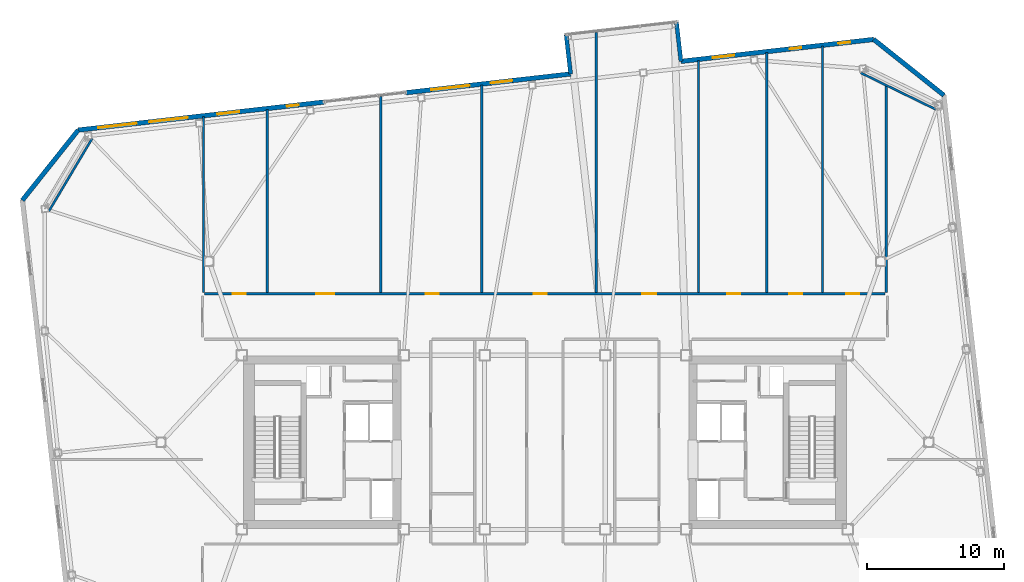
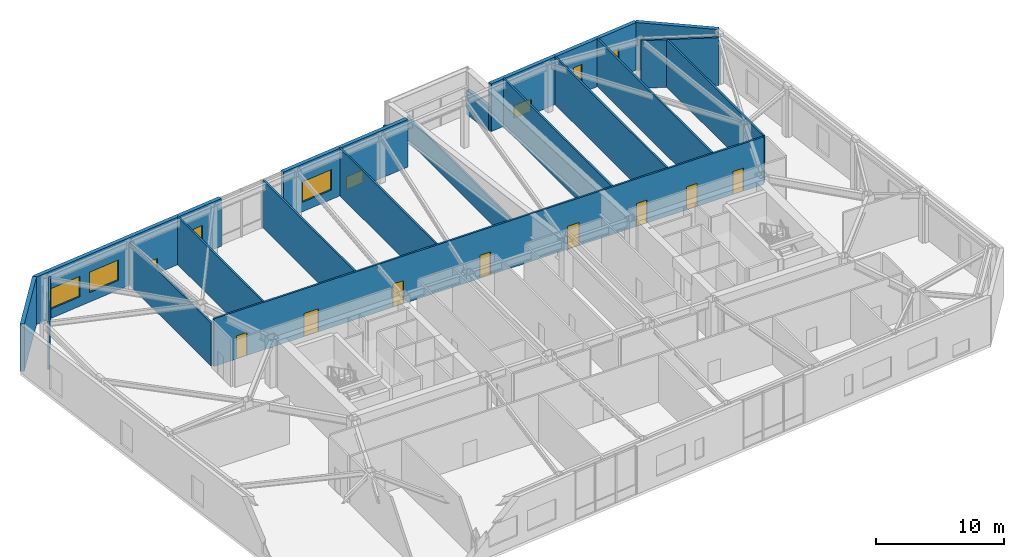
# One storey, part 17 of 21: 19 walls, 9 windows, 8 doors, 17 openings.
"""IFC4 building model written with IfcOpenShell, lengths in metres."""

import ifcopenshell
import ifcopenshell.guid

model = None  # the IFC model being written
_history = None  # IfcOwnerHistory: only IFC2X3 demands one
_inside = {}  # id of a spatial element -> (the spatial element, [elements in it])
_under = {}  # id of a project, library or spatial element -> (it, [spatial elements below it])
_declared = {}  # id of a project -> (the project, [libraries it declares])
_typed = {}  # id of a type object -> (the type object, [elements of that type])
_made_of = {}  # id of a material, layer set ... -> (it, [elements and type objects made of it])


def new_model(schema):
    """Start an empty IFC model of exactly this schema.

    Asked for "IFC4X3", IfcOpenShell would pick the latest addendum, in which some entities
    have other attributes; the version numbers below select the first issue.
    IFC2X3 requires an IfcOwnerHistory on every rooted entity: one is made here for all.
    """
    global model, _history
    if schema == "IFC4X3":
        model = ifcopenshell.file(schema_version=(4, 3, 0, 0))
    else:
        model = ifcopenshell.file(schema=schema)
    _inside.clear()
    _under.clear()
    _declared.clear()
    _typed.clear()
    _made_of.clear()
    _history = None
    if model.schema == "IFC2X3":
        org = make("IfcOrganization", Name="unknown")
        user = make(
            "IfcPersonAndOrganization",
            ThePerson=make("IfcPerson", FamilyName="unknown"),
            TheOrganization=org,
        )
        app = make(
            "IfcApplication",
            ApplicationDeveloper=org,
            Version="unknown",
            ApplicationFullName="unknown",
            ApplicationIdentifier="unknown",
        )
        _history = make(
            "IfcOwnerHistory",
            OwningUser=user,
            OwningApplication=app,
            ChangeAction="ADDED",
            CreationDate=0,
        )
    return model


def make(cls, **values):
    """One entity of the class cls with the attributes given. An attribute that is None is left unset."""
    return model.create_entity(
        cls, **{name: value for name, value in values.items() if value is not None}
    )


def rooted(cls, **values):
    """An entity with a GlobalId (a new one), such as an element, a storey or a relation."""
    return make(cls, GlobalId=ifcopenshell.guid.new(), OwnerHistory=_history, **values)


def si_unit(unit_type, name, prefix=None):
    """IfcSIUnit, for example si_unit("LENGTHUNIT", "METRE", prefix="MILLI")."""
    return make("IfcSIUnit", UnitType=unit_type, Prefix=prefix, Name=name)


def assignment(units):
    """IfcUnitAssignment: the units of a project."""
    return None if units is None else make("IfcUnitAssignment", Units=units)


def point(xyz):
    """IfcCartesianPoint."""
    return None if xyz is None else make("IfcCartesianPoint", Coordinates=xyz)


def direction(xyz):
    """IfcDirection."""
    return None if xyz is None else make("IfcDirection", DirectionRatios=xyz)


def frame(location, z_axis=None, x_axis=None):
    """IfcAxis2Placement3D, a coordinate frame: its origin and axes. An axis left out is left unset."""
    return make(
        "IfcAxis2Placement3D",
        Location=point(location),
        Axis=direction(z_axis),
        RefDirection=direction(x_axis),
    )


def frame_2d(location, x_axis=None):
    """IfcAxis2Placement2D, a coordinate frame in the plane: its origin and x axis."""
    return make(
        "IfcAxis2Placement2D", Location=point(location), RefDirection=direction(x_axis)
    )


def origin():
    """The frame at (0, 0, 0) with its axes left unset."""
    return frame((0.0, 0.0, 0.0))


def place(relative_to, where):
    """IfcLocalPlacement: puts the frame where relative to a parent placement (None: the world)."""
    return make(
        "IfcLocalPlacement", PlacementRelTo=relative_to, RelativePlacement=where
    )


def context(
    kind, dimensions, precision=None, world=None, true_north=None, identifier=None
):
    """IfcGeometricRepresentationContext, for example the 3D "Model" context."""
    return make(
        "IfcGeometricRepresentationContext",
        ContextIdentifier=identifier,
        ContextType=kind,
        CoordinateSpaceDimension=dimensions,
        Precision=precision,
        WorldCoordinateSystem=world,
        TrueNorth=true_north,
    )


def subcontext(parent, identifier, kind, view, scale=None):
    """IfcGeometricRepresentationSubContext, for example "Body" below "Model"."""
    return make(
        "IfcGeometricRepresentationSubContext",
        ContextIdentifier=identifier,
        ContextType=kind,
        ParentContext=parent,
        TargetScale=scale,
        TargetView=view,
    )


def project(units=None, contexts=None):
    """IfcProject with its units and contexts."""
    return rooted(
        "IfcProject",
        Name="project",
        RepresentationContexts=contexts,
        UnitsInContext=assignment(units),
    )


def spatial(cls, under=None, at=None, **own):
    """A site, building, storey or space (cls), placed at a placement, below another one or the project."""
    s = rooted(cls, ObjectPlacement=at, **own)
    if under is not None:
        _under.setdefault(under.id(), (under, []))[1].append(s)
    return s


def profile(cls, at=None, kind="AREA", **sizes):
    """A parametric profile (cls). Its sizes go by their IFC names, for example OverallWidth=200.0."""
    return make(cls, ProfileType=kind, Position=at, **sizes)


def rectangle(**sizes):
    """IfcRectangleProfileDef."""
    return profile("IfcRectangleProfileDef", **sizes)


def extrude(swept, where, along, depth):
    """IfcExtrudedAreaSolid: the profile swept, set in the frame where, extruded along a direction by depth."""
    return make(
        "IfcExtrudedAreaSolid",
        SweptArea=swept,
        Position=where,
        ExtrudedDirection=direction(along),
        Depth=depth,
    )


def shape(context_of_items, identifier, shape_type, items):
    """IfcShapeRepresentation: the items that make up one representation, for example the "Body"."""
    return make(
        "IfcShapeRepresentation",
        ContextOfItems=context_of_items,
        RepresentationIdentifier=identifier,
        RepresentationType=shape_type,
        Items=items,
    )


def material(Name=None, Category=None):
    """IfcMaterial."""
    return make("IfcMaterial", Name=Name, Category=Category)


def layer(
    of_material, thickness, ventilated=None, Name=None, Category=None, Priority=None
):
    """IfcMaterialLayer: one layer of a wall or slab, of a material (None: an air gap)."""
    return make(
        "IfcMaterialLayer",
        Material=of_material,
        LayerThickness=thickness,
        IsVentilated=ventilated,
        Name=Name,
        Category=Category,
        Priority=Priority,
    )


def layer_set(layers, Name=None):
    """IfcMaterialLayerSet."""
    return make("IfcMaterialLayerSet", MaterialLayers=layers, LayerSetName=Name)


def made_of(thing, what):
    """Note that an element or type object is made of a material, layer set ...; save() writes the relation."""
    if what is not None:
        _made_of.setdefault(what.id(), (what, []))[1].append(thing)
    return thing


def type_object(cls, material=None, **own):
    """A type object (cls), such as IfcWallType, which elements share."""
    return made_of(rooted(cls, **own), material)


def element(
    cls,
    number,
    at=None,
    inside=None,
    cuts=None,
    type_object=None,
    material=None,
    context=None,
    identifier="Body",
    shape_type=None,
    held_by="IfcProductDefinitionShape",
    body=None,
    shapes=None,
    **own,
):
    """One element of the class cls, such as IfcWall. Its Tag is "e" and its number.

    at: its placement. inside: the storey or other place that contains it. cuts: it is an
    opening in that element (IfcRelVoidsElement). A single representation is given by context,
    identifier, shape_type and body (its items); several are given by shapes. held_by: the class
    of the entity that holds the representations. save() writes the other relations.
    """
    e = rooted(cls, Tag="e%d" % number, ObjectPlacement=at, **own)
    if body is not None:
        shapes = [shape(context, identifier, shape_type, body)]
    if shapes is not None:
        e.Representation = make(held_by, Representations=shapes)
    if inside is not None:
        _inside.setdefault(inside.id(), (inside, []))[1].append(e)
    if cuts is not None:
        rooted(
            "IfcRelVoidsElement", RelatingBuildingElement=cuts, RelatedOpeningElement=e
        )
    if type_object is not None:
        _typed.setdefault(type_object.id(), (type_object, []))[1].append(e)
    return made_of(e, material)


def fill(opening, filler):
    """IfcRelFillsElement: the door or window that sits in an opening."""
    return rooted(
        "IfcRelFillsElement",
        RelatingOpeningElement=opening,
        RelatedBuildingElement=filler,
    )


def aggregate(whole, parts):
    """IfcRelAggregates: a whole, such as a stair, and the parts it consists of."""
    return rooted("IfcRelAggregates", RelatingObject=whole, RelatedObjects=parts)


def save(model, path):
    """Write the relations noted so far, then the file.

    IfcRelAggregates (storeys below a building ...), IfcRelContainedInSpatialStructure (elements
    in a storey), IfcRelDefinesByType, IfcRelAssociatesMaterial and IfcRelDeclares: one each for
    every whole, place, type object, material and project.
    """
    for whole, parts in _under.values():
        aggregate(whole, parts)
    for where, things in _inside.values():
        rooted(
            "IfcRelContainedInSpatialStructure",
            RelatedElements=things,
            RelatingStructure=where,
        )
    for kind, things in _typed.values():
        rooted("IfcRelDefinesByType", RelatedObjects=things, RelatingType=kind)
    for what, things in _made_of.values():
        rooted("IfcRelAssociatesMaterial", RelatedObjects=things, RelatingMaterial=what)
    for by, libraries in _declared.values():
        rooted("IfcRelDeclares", RelatingContext=by, RelatedDefinitions=libraries)
    model.write(path)


model = new_model("IFC4")

# Units and contexts
model_context = context("Model", 3, precision=1e-05, world=origin(), true_north=direction((0.0, 1.0)))
body_context = subcontext(model_context, "Body", "Model", "MODEL_VIEW")
ifc_project = project(units=[si_unit("LENGTHUNIT", "METRE"), si_unit("AREAUNIT", "SQUARE_METRE"), si_unit("VOLUMEUNIT", "CUBIC_METRE"), si_unit("PLANEANGLEUNIT", "RADIAN"), si_unit("MASSUNIT", "GRAM", prefix="KILO")], contexts=[model_context])

# Site, building, storey
site_placement = place(None, origin())
site = spatial("IfcSite", under=ifc_project, at=site_placement, CompositionType="ELEMENT")
building_placement = place(site_placement, origin())
building = spatial("IfcBuilding", under=site, at=building_placement, Name="Tavrogorsk Clinical Tower", CompositionType="ELEMENT")
storey_placement = place(building_placement, frame((0.0, 0.0, 238.199951171875)))
storey = spatial("IfcBuildingStorey", under=building, at=storey_placement, Name="L55", CompositionType="ELEMENT", Elevation=238.199951171875)

# Walls
ifc_material_1 = material(Name="Lightweight concrete blockwork B15", Category="masonry")
ifc_layer_1 = layer(ifc_material_1, 0.159912109375)
ifc_layer_set_1 = layer_set([ifc_layer_1], Name="Lightweight concrete blockwork B15")
wall_type_1 = type_object("IfcWallType", Name="PartitionWall_160", PredefinedType="PARTITIONING", material=ifc_layer_set_1)
wall_1_placement = place(storey_placement, frame((28.5283203125, 24.27099609375, 0.0), z_axis=(0.0, 0.0, 1.0), x_axis=(-0.898820692789, 0.438316509173, 0.0)))
element("IfcWall", 1, at=wall_1_placement, inside=storey, type_object=wall_type_1, Name="L55 Corner Exoskeleton Brace Furring Wall 2", PredefinedType="PARTITIONING", context=body_context, shape_type="SweptSolid", body=[
    extrude(rectangle(XDim=6.10693359375, YDim=0.159912109375, at=frame_2d((3.053466796875, 0.0))), origin(), (0.0, 0.0, 1.0), 4.5400390625),
])
wall_2_placement = place(storey_placement, frame((-33.016357421875, 22.17138671875, 0.0), z_axis=(0.0, 0.0, 1.0), x_axis=(-0.511385266265, -0.859351563359, 0.0)))
element("IfcWall", 2, at=wall_2_placement, inside=storey, type_object=wall_type_1, Name="L55 Corner Exoskeleton Brace Furring Wall 3", PredefinedType="PARTITIONING", context=body_context, shape_type="SweptSolid", body=[
    extrude(rectangle(XDim=6.181884765625, YDim=0.159912109375, at=frame_2d((3.0908203125, 0.0))), origin(), (0.0, 0.0, 1.0), 4.5400390625),
])

# Wall, openings, doors
wall_3_placement = place(storey_placement, frame((-24.81494140625, 10.830078125, 0.0), z_axis=(0.0, 0.0, 1.0), x_axis=(1.0, 0.0, 0.0)))
wall_3 = element("IfcWall", 3, at=wall_3_placement, inside=storey, type_object=wall_type_1, Name="L55 Corridor Partition 07", PredefinedType="PARTITIONING", context=body_context, shape_type="SweptSolid", body=[
    extrude(rectangle(XDim=49.6298828125, YDim=0.159912109375, at=frame_2d((24.81494140625, 0.0))), origin(), (0.0, 0.0, 1.0), 4.5400390625),
])
opening_1_placement = place(wall_3_placement, frame((2.044189453125, 0.0, 0.0)))
opening_1 = element("IfcOpeningElement", 4, at=opening_1_placement, cuts=wall_3, Name="Opening ID-02", PredefinedType="OPENING", context=body_context, shape_type="SweptSolid", body=[
    extrude(rectangle(XDim=0.949951171875, YDim=2.199951171875, at=frame_2d((0.47509765625, 1.10009765625))), frame((0.0, 0.08984375, 0.0), z_axis=(0.0, -1.0, 0.0), x_axis=(1.0, 0.0, 0.0)), (0.0, 0.0, 1.0), 0.179931640625),
])
opening_2_placement = place(wall_3_placement, frame((8.137451171875, 0.0, 0.0)))
opening_2 = element("IfcOpeningElement", 5, at=opening_2_placement, cuts=wall_3, Name="Opening ID-01", PredefinedType="OPENING", context=body_context, shape_type="SweptSolid", body=[
    extrude(rectangle(XDim=1.300048828125, YDim=2.199951171875, at=frame_2d((0.64990234375, 1.10009765625))), frame((0.0, 0.08984375, 0.0), z_axis=(0.0, -1.0, 0.0), x_axis=(1.0, 0.0, 0.0)), (0.0, 0.0, 1.0), 0.179931640625),
])
opening_3_placement = place(wall_3_placement, frame((16.137451171875, 0.0, 0.0)))
opening_3 = element("IfcOpeningElement", 6, at=opening_3_placement, cuts=wall_3, Name="Opening ID-02", PredefinedType="OPENING", context=body_context, shape_type="SweptSolid", body=[
    extrude(rectangle(XDim=0.949951171875, YDim=2.199951171875, at=frame_2d((0.47509765625, 1.10009765625))), frame((0.0, 0.08984375, 0.0), z_axis=(0.0, -1.0, 0.0), x_axis=(1.0, 0.0, 0.0)), (0.0, 0.0, 1.0), 0.179931640625),
])
opening_4_placement = place(wall_3_placement, frame((24.0, 0.0, 0.0)))
opening_4 = element("IfcOpeningElement", 7, at=opening_4_placement, cuts=wall_3, Name="Opening ID-02", PredefinedType="OPENING", context=body_context, shape_type="SweptSolid", body=[
    extrude(rectangle(XDim=0.949951171875, YDim=2.199951171875, at=frame_2d((0.47509765625, 1.10009765625))), frame((0.0, 0.08984375, 0.0), z_axis=(0.0, -1.0, 0.0), x_axis=(1.0, 0.0, 0.0)), (0.0, 0.0, 1.0), 0.179931640625),
])
opening_5_placement = place(wall_3_placement, frame((31.89990234375, 0.0, 0.0)))
opening_5 = element("IfcOpeningElement", 8, at=opening_5_placement, cuts=wall_3, Name="Opening ID-04", PredefinedType="OPENING", context=body_context, shape_type="SweptSolid", body=[
    extrude(rectangle(XDim=1.050048828125, YDim=2.199951171875, at=frame_2d((0.52490234375, 1.10009765625))), frame((0.0, 0.08984375, 0.0), z_axis=(0.0, -1.0, 0.0), x_axis=(1.0, 0.0, 0.0)), (0.0, 0.0, 1.0), 0.179931640625),
])
opening_6_placement = place(wall_3_placement, frame((38.112548828125, 0.0, 0.0)))
opening_6 = element("IfcOpeningElement", 9, at=opening_6_placement, cuts=wall_3, Name="Opening ID-02", PredefinedType="OPENING", context=body_context, shape_type="SweptSolid", body=[
    extrude(rectangle(XDim=0.949951171875, YDim=2.199951171875, at=frame_2d((0.47509765625, 1.10009765625))), frame((0.0, 0.08984375, 0.0), z_axis=(0.0, -1.0, 0.0), x_axis=(1.0, 0.0, 0.0)), (0.0, 0.0, 1.0), 0.179931640625),
])
opening_7_placement = place(wall_3_placement, frame((42.637451171875, 0.0, 0.0)))
opening_7 = element("IfcOpeningElement", 10, at=opening_7_placement, cuts=wall_3, Name="Opening ID-02", PredefinedType="OPENING", context=body_context, shape_type="SweptSolid", body=[
    extrude(rectangle(XDim=0.949951171875, YDim=2.199951171875, at=frame_2d((0.47509765625, 1.10009765625))), frame((0.0, 0.08984375, 0.0), z_axis=(0.0, -1.0, 0.0), x_axis=(1.0, 0.0, 0.0)), (0.0, 0.0, 1.0), 0.179931640625),
])
opening_8_placement = place(wall_3_placement, frame((46.805908203125, 0.0, 0.0)))
opening_8 = element("IfcOpeningElement", 11, at=opening_8_placement, cuts=wall_3, Name="Opening ID-02", PredefinedType="OPENING", context=body_context, shape_type="SweptSolid", body=[
    extrude(rectangle(XDim=0.949951171875, YDim=2.199951171875, at=frame_2d((0.47509765625, 1.10009765625))), frame((0.0, 0.08984375, 0.0), z_axis=(0.0, -1.0, 0.0), x_axis=(1.0, 0.0, 0.0)), (0.0, 0.0, 1.0), 0.179931640625),
])
ifc_material_2 = material(Name="Antibacterial HPL consultation door on aluminium frame", Category="aluminium")
door_type_1 = type_object("IfcDoorType", Name="ConsultDoor_ID04_1050", OperationType="NOTDEFINED", PredefinedType="DOOR", material=ifc_material_2)
door_1_placement = place(opening_5_placement, origin())
door_1 = element("IfcDoor", 12, at=door_1_placement, inside=storey, type_object=door_type_1, Name="L55 Sky-Lobby Panorama Lounge 3B Door", OperationType="SINGLE_SWING_LEFT", OverallHeight=2.199951171875, OverallWidth=1.050048828125, PredefinedType="DOOR", context=body_context, shape_type="SweptSolid", body=[
    extrude(rectangle(XDim=1.050048828125, YDim=2.199951171875, at=frame_2d((0.52490234375, 1.10009765625))), frame((0.0, 0.02490234375, 0.0), z_axis=(0.0, -1.0, 0.0), x_axis=(1.0, 0.0, 0.0)), (0.0, 0.0, 1.0), 0.050048828125),
])
fill(opening_5, door_1)
ifc_material_3 = material(Name="Laminated timber leaf on aluminium frame", Category="wood")
door_type_2 = type_object("IfcDoorType", Name="InteriorDoor_ID02_950", OperationType="NOTDEFINED", PredefinedType="DOOR", material=ifc_material_3)
door_2_placement = place(opening_1_placement, origin())
door_2 = element("IfcDoor", 13, at=door_2_placement, inside=storey, type_object=door_type_2, Name="L55 North Multidisciplinary Case Room 01 Door", OperationType="SINGLE_SWING_LEFT", OverallHeight=2.199951171875, OverallWidth=0.949951171875, PredefinedType="DOOR", context=body_context, shape_type="SweptSolid", body=[
    extrude(rectangle(XDim=0.949951171875, YDim=2.199951171875, at=frame_2d((0.47509765625, 1.10009765625))), frame((0.0, 0.02490234375, 0.0), z_axis=(0.0, -1.0, 0.0), x_axis=(1.0, 0.0, 0.0)), (0.0, 0.0, 1.0), 0.050048828125),
])
fill(opening_1, door_2)
door_3_placement = place(opening_3_placement, origin())
door_3 = element("IfcDoor", 14, at=door_3_placement, inside=storey, type_object=door_type_2, Name="L55 Sky-Lobby Panorama Lounge 2B Door", OperationType="SINGLE_SWING_LEFT", OverallHeight=2.199951171875, OverallWidth=0.949951171875, PredefinedType="DOOR", context=body_context, shape_type="SweptSolid", body=[
    extrude(rectangle(XDim=0.949951171875, YDim=2.199951171875, at=frame_2d((0.47509765625, 1.10009765625))), frame((0.0, 0.02490234375, 0.0), z_axis=(0.0, -1.0, 0.0), x_axis=(1.0, 0.0, 0.0)), (0.0, 0.0, 1.0), 0.050048828125),
])
fill(opening_3, door_3)
door_4_placement = place(opening_4_placement, origin())
door_4 = element("IfcDoor", 15, at=door_4_placement, inside=storey, type_object=door_type_2, Name="L55 Sky-Lobby Panorama Lounge 3A Door", OperationType="SINGLE_SWING_RIGHT", OverallHeight=2.199951171875, OverallWidth=0.949951171875, PredefinedType="DOOR", context=body_context, shape_type="SweptSolid", body=[
    extrude(rectangle(XDim=0.949951171875, YDim=2.199951171875, at=frame_2d((0.47509765625, 1.10009765625))), frame((0.0, 0.02490234375, 0.0), z_axis=(0.0, -1.0, 0.0), x_axis=(1.0, 0.0, 0.0)), (0.0, 0.0, 1.0), 0.050048828125),
])
fill(opening_4, door_4)
door_5_placement = place(opening_6_placement, origin())
door_5 = element("IfcDoor", 16, at=door_5_placement, inside=storey, type_object=door_type_2, Name="L55 North Diagnostic Ultrasound Suite 04A Door", OperationType="SINGLE_SWING_RIGHT", OverallHeight=2.199951171875, OverallWidth=0.949951171875, PredefinedType="DOOR", context=body_context, shape_type="SweptSolid", body=[
    extrude(rectangle(XDim=0.949951171875, YDim=2.199951171875, at=frame_2d((0.47509765625, 1.10009765625))), frame((0.0, 0.02490234375, 0.0), z_axis=(0.0, -1.0, 0.0), x_axis=(1.0, 0.0, 0.0)), (0.0, 0.0, 1.0), 0.050048828125),
])
fill(opening_6, door_5)
door_6_placement = place(opening_7_placement, origin())
door_6 = element("IfcDoor", 17, at=door_6_placement, inside=storey, type_object=door_type_2, Name="L55 North Multidisciplinary Case Room 04B Door", OperationType="SINGLE_SWING_LEFT", OverallHeight=2.199951171875, OverallWidth=0.949951171875, PredefinedType="DOOR", context=body_context, shape_type="SweptSolid", body=[
    extrude(rectangle(XDim=0.949951171875, YDim=2.199951171875, at=frame_2d((0.47509765625, 1.10009765625))), frame((0.0, 0.02490234375, 0.0), z_axis=(0.0, -1.0, 0.0), x_axis=(1.0, 0.0, 0.0)), (0.0, 0.0, 1.0), 0.050048828125),
])
fill(opening_7, door_6)
door_7_placement = place(opening_8_placement, origin())
door_7 = element("IfcDoor", 18, at=door_7_placement, inside=storey, type_object=door_type_2, Name="L55 North Physiotherapy Rehab Studio 05 Door", OperationType="SINGLE_SWING_RIGHT", OverallHeight=2.199951171875, OverallWidth=0.949951171875, PredefinedType="DOOR", context=body_context, shape_type="SweptSolid", body=[
    extrude(rectangle(XDim=0.949951171875, YDim=2.199951171875, at=frame_2d((0.47509765625, 1.10009765625))), frame((0.0, 0.02490234375, 0.0), z_axis=(0.0, -1.0, 0.0), x_axis=(1.0, 0.0, 0.0)), (0.0, 0.0, 1.0), 0.050048828125),
])
fill(opening_8, door_7)
ifc_material_4 = material(Name="Antibacterial HPL medical leaf on aluminium frame", Category="aluminium")
door_type_3 = type_object("IfcDoorType", Name="WardBedDoor_ID01_1300", OperationType="NOTDEFINED", PredefinedType="DOOR", material=ifc_material_4)
door_8_placement = place(opening_2_placement, origin())
door_8 = element("IfcDoor", 19, at=door_8_placement, inside=storey, type_object=door_type_3, Name="L55 North Inpatient Clinical Ward 02A Door", OperationType="SINGLE_SWING_RIGHT", OverallHeight=2.199951171875, OverallWidth=1.300048828125, PredefinedType="DOOR", context=body_context, shape_type="SweptSolid", body=[
    extrude(rectangle(XDim=1.300048828125, YDim=2.199951171875, at=frame_2d((0.64990234375, 1.10009765625))), frame((0.0, 0.02490234375, 0.0), z_axis=(0.0, -1.0, 0.0), x_axis=(1.0, 0.0, 0.0)), (0.0, 0.0, 1.0), 0.050048828125),
])
fill(opening_2, door_8)

# Walls
wall_4_placement = place(storey_placement, frame((-24.89990234375, 10.9150390625, 0.0), z_axis=(0.0, 0.0, 1.0), x_axis=(0.0, 1.0, 0.0)))
element("IfcWall", 20, at=wall_4_placement, inside=storey, type_object=wall_type_1, Name="L55 NW Wing Closure Partition", PredefinedType="PARTITIONING", context=body_context, shape_type="SweptSolid", body=[
    extrude(rectangle(XDim=12.831298828125, YDim=0.159912109375, at=frame_2d((6.41552734375, 0.0))), origin(), (0.0, 0.0, 1.0), 4.0849609375),
])
wall_5_placement = place(storey_placement, frame((24.89990234375, 10.9150390625, 0.0), z_axis=(0.0, 0.0, 1.0), x_axis=(0.0, 1.0, 0.0)))
element("IfcWall", 21, at=wall_5_placement, inside=storey, type_object=wall_type_1, Name="L55 NE Wing Closure Partition", PredefinedType="PARTITIONING", context=body_context, shape_type="SweptSolid", body=[
    extrude(rectangle(XDim=15.12939453125, YDim=0.159912109375, at=frame_2d((7.564697265625, 0.0))), origin(), (0.0, 0.0, 1.0), 4.5400390625),
])
wall_6_placement = place(storey_placement, frame((-20.25, 10.9150390625, 0.0), z_axis=(0.0, 0.0, 1.0), x_axis=(0.0, 1.0, 0.0)))
element("IfcWall", 22, at=wall_6_placement, inside=storey, type_object=wall_type_1, Name="L55 North Room Partition 1", PredefinedType="PARTITIONING", context=body_context, shape_type="SweptSolid", body=[
    extrude(rectangle(XDim=13.361083984375, YDim=0.159912109375, at=frame_2d((6.6806640625, 0.0))), origin(), (0.0, 0.0, 1.0), 4.5400390625),
])
wall_7_placement = place(storey_placement, frame((-4.60009765625, 10.9150390625, 0.0), z_axis=(0.0, 0.0, 1.0), x_axis=(0.0, 1.0, 0.0)))
element("IfcWall", 23, at=wall_7_placement, inside=storey, type_object=wall_type_1, Name="L55 North Room Partition 2", PredefinedType="PARTITIONING", context=body_context, shape_type="SweptSolid", body=[
    extrude(rectangle(XDim=15.14404296875, YDim=0.159912109375, at=frame_2d((7.572021484375, 0.0))), origin(), (0.0, 0.0, 1.0), 4.5400390625),
])
wall_8_placement = place(storey_placement, frame((11.199951171875, 10.9150390625, 0.0), z_axis=(0.0, 0.0, 1.0), x_axis=(0.0, 1.0, 0.0)))
element("IfcWall", 24, at=wall_8_placement, inside=storey, type_object=wall_type_1, Name="L55 North Room Partition 3", PredefinedType="PARTITIONING", context=body_context, shape_type="SweptSolid", body=[
    extrude(rectangle(XDim=16.9443359375, YDim=0.159912109375, at=frame_2d((8.47216796875, 0.0))), origin(), (0.0, 0.0, 1.0), 4.5400390625),
])
wall_9_placement = place(storey_placement, frame((20.25, 10.9150390625, 0.0), z_axis=(0.0, 0.0, 1.0), x_axis=(0.0, 1.0, 0.0)))
element("IfcWall", 25, at=wall_9_placement, inside=storey, type_object=wall_type_1, Name="L55 North Room Partition 4", PredefinedType="PARTITIONING", context=body_context, shape_type="SweptSolid", body=[
    extrude(rectangle(XDim=17.975341796875, YDim=0.159912109375, at=frame_2d((8.98779296875, 0.0))), origin(), (0.0, 0.0, 1.0), 4.5400390625),
])
wall_10_placement = place(storey_placement, frame((-11.97509765625, 10.9150390625, 0.0), z_axis=(0.0, 0.0, 1.0), x_axis=(0.0, 1.0, 0.0)))
element("IfcWall", 26, at=wall_10_placement, inside=storey, type_object=wall_type_1, Name="L55 North Sub-Partition 2", PredefinedType="PARTITIONING", context=body_context, shape_type="SweptSolid", body=[
    extrude(rectangle(XDim=14.303955078125, YDim=0.159912109375, at=frame_2d((7.15185546875, 0.0))), origin(), (0.0, 0.0, 1.0), 4.5400390625),
])
wall_11_placement = place(storey_placement, frame((3.75, 10.9150390625, 0.0), z_axis=(0.0, 0.0, 1.0), x_axis=(0.0, 1.0, 0.0)))
element("IfcWall", 27, at=wall_11_placement, inside=storey, type_object=wall_type_1, Name="L55 North Sub-Partition 3", PredefinedType="PARTITIONING", context=body_context, shape_type="SweptSolid", body=[
    extrude(rectangle(XDim=18.9638671875, YDim=0.159912109375, at=frame_2d((9.48193359375, 0.0))), origin(), (0.0, 0.0, 1.0), 2.3349609375),
])
wall_12_placement = place(storey_placement, frame((16.175048828125, 10.9150390625, 0.0), z_axis=(0.0, 0.0, 1.0), x_axis=(0.0, 1.0, 0.0)))
element("IfcWall", 28, at=wall_12_placement, inside=storey, type_object=wall_type_1, Name="L55 North Sub-Partition 4", PredefinedType="PARTITIONING", context=body_context, shape_type="SweptSolid", body=[
    extrude(rectangle(XDim=17.51123046875, YDim=0.159912109375, at=frame_2d((8.755615234375, 0.0))), origin(), (0.0, 0.0, 1.0), 4.5400390625),
])

# Wall, openings, windows
ifc_material_5 = material(Name="Precast concrete B45 with limestone cladding", Category="masonry")
ifc_layer_2 = layer(ifc_material_5, 0.340087890625)
ifc_layer_set_2 = layer_set([ifc_layer_2], Name="Precast concrete B45 with limestone cladding")
wall_type_2 = type_object("IfcWallType", Name="PrecastLimestoneWall_340", PredefinedType="STANDARD", material=ifc_layer_set_2)
wall_13_placement = place(storey_placement, frame((23.982666015625, 29.38623046875, 0.0), z_axis=(0.0, 0.0, 1.0), x_axis=(-0.993572041858, -0.113201579666, 0.0)))
wall_13 = element("IfcWall", 29, at=wall_13_placement, inside=storey, type_object=wall_type_2, Name="L55 N Limestone Facade Wall 1", PredefinedType="STANDARD", context=body_context, shape_type="SweptSolid", body=[
    extrude(rectangle(XDim=14.150146484375, YDim=0.340087890625, at=frame_2d((7.0751953125, 0.0))), origin(), (0.0, 0.0, 1.0), 4.5400390625),
])
opening_9_placement = place(wall_13_placement, frame((10.228759765625, 0.0, 0.219970703125)))
opening_9 = element("IfcOpeningElement", 30, at=opening_9_placement, cuts=wall_13, Name="Opening WN-09", PredefinedType="OPENING", context=body_context, shape_type="SweptSolid", body=[
    extrude(rectangle(XDim=1.60009765625, YDim=1.199951171875, at=frame_2d((0.800048828125, 0.60009765625))), frame((0.0, 0.179931640625, 0.0), z_axis=(0.0, -1.0, 0.0), x_axis=(1.0, 0.0, 0.0)), (0.0, 0.0, 1.0), 0.360107421875),
])
opening_10_placement = place(wall_13_placement, frame((5.322998046875, 0.0, 0.89990234375)))
opening_10 = element("IfcOpeningElement", 31, at=opening_10_placement, cuts=wall_13, Name="Opening WN-06", PredefinedType="OPENING", context=body_context, shape_type="SweptSolid", body=[
    extrude(rectangle(XDim=0.85009765625, YDim=1.85009765625, at=frame_2d((0.425048828125, 0.925048828125))), frame((0.0, 0.179931640625, 0.0), z_axis=(0.0, -1.0, 0.0), x_axis=(1.0, 0.0, 0.0)), (0.0, 0.0, 1.0), 0.360107421875),
])
opening_11_placement = place(wall_13_placement, frame((1.736083984375, 0.0, 0.89990234375)))
opening_11 = element("IfcOpeningElement", 32, at=opening_11_placement, cuts=wall_13, Name="Opening WN-06", PredefinedType="OPENING", context=body_context, shape_type="SweptSolid", body=[
    extrude(rectangle(XDim=0.85009765625, YDim=1.85009765625, at=frame_2d((0.425048828125, 0.925048828125))), frame((0.0, 0.179931640625, 0.0), z_axis=(0.0, -1.0, 0.0), x_axis=(1.0, 0.0, 0.0)), (0.0, 0.0, 1.0), 0.360107421875),
])
ifc_material_6 = material(Name="Thermally broken aluminium frame and triple IGU", Category="aluminium")
window_type_1 = type_object("IfcWindowType", Name="LowHeadTransWin_1600x1200", PartitioningType="DOUBLE_PANEL_VERTICAL", PredefinedType="WINDOW", material=ifc_material_6)
window_1_placement = place(opening_9_placement, origin())
window_1 = element("IfcWindow", 33, at=window_1_placement, inside=storey, type_object=window_type_1, Name="L55 N Chicago Window 08", OverallHeight=1.199951171875, OverallWidth=1.60009765625, PartitioningType="SINGLE_PANEL", PredefinedType="WINDOW", context=body_context, shape_type="SweptSolid", body=[
    extrude(rectangle(XDim=1.60009765625, YDim=1.199951171875, at=frame_2d((0.800048828125, 0.60009765625))), frame((0.0, 0.030029296875, 0.0), z_axis=(0.0, -1.0, 0.0), x_axis=(1.0, 0.0, 0.0)), (0.0, 0.0, 1.0), 0.06005859375),
])
fill(opening_9, window_1)
ifc_material_7 = material(Name="Thermally broken aluminium frame and triple IGU", Category="aluminium")
window_type_2 = type_object("IfcWindowType", Name="MullionSubWin_850x1850", PartitioningType="SINGLE_PANEL", PredefinedType="WINDOW", material=ifc_material_7)
window_2_placement = place(opening_10_placement, origin())
window_2 = element("IfcWindow", 34, at=window_2_placement, inside=storey, type_object=window_type_2, Name="L55 N Mullion Split Window 09A", OverallHeight=1.85009765625, OverallWidth=0.85009765625, PartitioningType="SINGLE_PANEL", PredefinedType="WINDOW", context=body_context, shape_type="SweptSolid", body=[
    extrude(rectangle(XDim=0.85009765625, YDim=1.85009765625, at=frame_2d((0.425048828125, 0.925048828125))), frame((0.0, 0.030029296875, 0.0), z_axis=(0.0, -1.0, 0.0), x_axis=(1.0, 0.0, 0.0)), (0.0, 0.0, 1.0), 0.06005859375),
])
fill(opening_10, window_2)
window_3_placement = place(opening_11_placement, origin())
window_3 = element("IfcWindow", 35, at=window_3_placement, inside=storey, type_object=window_type_2, Name="L55 N Mullion Split Window 10A", OverallHeight=1.85009765625, OverallWidth=0.85009765625, PartitioningType="SINGLE_PANEL", PredefinedType="WINDOW", context=body_context, shape_type="SweptSolid", body=[
    extrude(rectangle(XDim=0.85009765625, YDim=1.85009765625, at=frame_2d((0.425048828125, 0.925048828125))), frame((0.0, 0.030029296875, 0.0), z_axis=(0.0, -1.0, 0.0), x_axis=(1.0, 0.0, 0.0)), (0.0, 0.0, 1.0), 0.06005859375),
])
fill(opening_11, window_3)

wall_14_placement = place(storey_placement, frame((1.87548828125, 26.867431640625, 0.0), z_axis=(0.0, 0.0, 1.0), x_axis=(-0.993571132131, -0.113209564069, 0.0)))
wall_14 = element("IfcWall", 36, at=wall_14_placement, inside=storey, type_object=wall_type_2, Name="L55 N Limestone Facade Wall 2", PredefinedType="STANDARD", context=body_context, shape_type="SweptSolid", body=[
    extrude(rectangle(XDim=12.074462890625, YDim=0.340087890625, at=frame_2d((6.037109375, 0.0))), origin(), (0.0, 0.0, 1.0), 4.5400390625),
])
opening_12_placement = place(wall_14_placement, frame((7.42431640625, 0.0, 0.89990234375)))
opening_12 = element("IfcOpeningElement", 37, at=opening_12_placement, cuts=wall_14, Name="Opening WN-14", PredefinedType="OPENING", context=body_context, shape_type="SweptSolid", body=[
    extrude(rectangle(XDim=2.800048828125, YDim=1.949951171875, at=frame_2d((1.39990234375, 0.97509765625))), frame((0.0, 0.179931640625, 0.0), z_axis=(0.0, -1.0, 0.0), x_axis=(1.0, 0.0, 0.0)), (0.0, 0.0, 1.0), 0.360107421875),
])
opening_13_placement = place(wall_14_placement, frame((4.27587890625, 0.0, 0.219970703125)))
opening_13 = element("IfcOpeningElement", 38, at=opening_13_placement, cuts=wall_14, Name="Opening WN-09", PredefinedType="OPENING", context=body_context, shape_type="SweptSolid", body=[
    extrude(rectangle(XDim=1.60009765625, YDim=1.199951171875, at=frame_2d((0.800048828125, 0.60009765625))), frame((0.0, 0.179931640625, 0.0), z_axis=(0.0, -1.0, 0.0), x_axis=(1.0, 0.0, 0.0)), (0.0, 0.0, 1.0), 0.360107421875),
])
window_4_placement = place(opening_13_placement, origin())
window_4 = element("IfcWindow", 39, at=window_4_placement, inside=storey, type_object=window_type_1, Name="L55 N Chicago Window 06", OverallHeight=1.199951171875, OverallWidth=1.60009765625, PartitioningType="SINGLE_PANEL", PredefinedType="WINDOW", context=body_context, shape_type="SweptSolid", body=[
    extrude(rectangle(XDim=1.60009765625, YDim=1.199951171875, at=frame_2d((0.800048828125, 0.60009765625))), frame((0.0, 0.030029296875, 0.0), z_axis=(0.0, -1.0, 0.0), x_axis=(1.0, 0.0, 0.0)), (0.0, 0.0, 1.0), 0.06005859375),
])
fill(opening_13, window_4)
ifc_material_8 = material(Name="Thermally broken aluminium frame and triple IGU", Category="aluminium")
window_type_3 = type_object("IfcWindowType", Name="SeminarWin_2800x1950", PartitioningType="TRIPLE_PANEL_HORIZONTAL", PredefinedType="WINDOW", material=ifc_material_8)
window_5_placement = place(opening_12_placement, origin())
window_5 = element("IfcWindow", 40, at=window_5_placement, inside=storey, type_object=window_type_3, Name="L55 N Chicago Window 05", OverallHeight=1.949951171875, OverallWidth=2.800048828125, PartitioningType="SINGLE_PANEL", PredefinedType="WINDOW", context=body_context, shape_type="SweptSolid", body=[
    extrude(rectangle(XDim=2.800048828125, YDim=1.949951171875, at=frame_2d((1.39990234375, 0.97509765625))), frame((0.0, 0.030029296875, 0.0), z_axis=(0.0, -1.0, 0.0), x_axis=(1.0, 0.0, 0.0)), (0.0, 0.0, 1.0), 0.06005859375),
])
fill(opening_12, window_5)

wall_15_placement = place(storey_placement, frame((-16.130615234375, 24.81591796875, 0.0), z_axis=(0.0, 0.0, 1.0), x_axis=(-0.993571681878, -0.113204739165, 0.0)))
wall_15 = element("IfcWall", 41, at=wall_15_placement, inside=storey, type_object=wall_type_2, Name="L55 N Limestone Facade Wall 3", PredefinedType="STANDARD", context=body_context, shape_type="SweptSolid", body=[
    extrude(rectangle(XDim=18.02734375, YDim=0.340087890625, at=frame_2d((9.013671875, 0.0))), origin(), (0.0, 0.0, 1.0), 4.5400390625),
])
opening_14_placement = place(wall_15_placement, frame((13.747314453125, 0.0, 0.89990234375)))
opening_14 = element("IfcOpeningElement", 42, at=opening_14_placement, cuts=wall_15, Name="Opening WN-14", PredefinedType="OPENING", context=body_context, shape_type="SweptSolid", body=[
    extrude(rectangle(XDim=2.800048828125, YDim=1.949951171875, at=frame_2d((1.39990234375, 0.97509765625))), frame((0.0, 0.179931640625, 0.0), z_axis=(0.0, -1.0, 0.0), x_axis=(1.0, 0.0, 0.0)), (0.0, 0.0, 1.0), 0.360107421875),
])
opening_15_placement = place(wall_15_placement, frame((9.998779296875, 0.0, 0.89990234375)))
opening_15 = element("IfcOpeningElement", 43, at=opening_15_placement, cuts=wall_15, Name="Opening WN-14", PredefinedType="OPENING", context=body_context, shape_type="SweptSolid", body=[
    extrude(rectangle(XDim=2.800048828125, YDim=1.949951171875, at=frame_2d((1.39990234375, 0.97509765625))), frame((0.0, 0.179931640625, 0.0), z_axis=(0.0, -1.0, 0.0), x_axis=(1.0, 0.0, 0.0)), (0.0, 0.0, 1.0), 0.360107421875),
])
opening_16_placement = place(wall_15_placement, frame((6.19873046875, 0.0, 0.219970703125)))
opening_16 = element("IfcOpeningElement", 44, at=opening_16_placement, cuts=wall_15, Name="Opening WN-09", PredefinedType="OPENING", context=body_context, shape_type="SweptSolid", body=[
    extrude(rectangle(XDim=1.60009765625, YDim=1.199951171875, at=frame_2d((0.800048828125, 0.60009765625))), frame((0.0, 0.179931640625, 0.0), z_axis=(0.0, -1.0, 0.0), x_axis=(1.0, 0.0, 0.0)), (0.0, 0.0, 1.0), 0.360107421875),
])
opening_17_placement = place(wall_15_placement, frame((1.850341796875, 0.0, 0.89990234375)))
opening_17 = element("IfcOpeningElement", 45, at=opening_17_placement, cuts=wall_15, Name="Opening WN-06", PredefinedType="OPENING", context=body_context, shape_type="SweptSolid", body=[
    extrude(rectangle(XDim=0.85009765625, YDim=1.85009765625, at=frame_2d((0.425048828125, 0.925048828125))), frame((0.0, 0.179931640625, 0.0), z_axis=(0.0, -1.0, 0.0), x_axis=(1.0, 0.0, 0.0)), (0.0, 0.0, 1.0), 0.360107421875),
])
window_6_placement = place(opening_16_placement, origin())
window_6 = element("IfcWindow", 46, at=window_6_placement, inside=storey, type_object=window_type_1, Name="L55 N Chicago Window 03", OverallHeight=1.199951171875, OverallWidth=1.60009765625, PartitioningType="SINGLE_PANEL", PredefinedType="WINDOW", context=body_context, shape_type="SweptSolid", body=[
    extrude(rectangle(XDim=1.60009765625, YDim=1.199951171875, at=frame_2d((0.800048828125, 0.60009765625))), frame((0.0, 0.030029296875, 0.0), z_axis=(0.0, -1.0, 0.0), x_axis=(1.0, 0.0, 0.0)), (0.0, 0.0, 1.0), 0.06005859375),
])
fill(opening_16, window_6)
window_7_placement = place(opening_17_placement, origin())
window_7 = element("IfcWindow", 47, at=window_7_placement, inside=storey, type_object=window_type_2, Name="L55 N Mullion Split Window 04A", OverallHeight=1.85009765625, OverallWidth=0.85009765625, PartitioningType="SINGLE_PANEL", PredefinedType="WINDOW", context=body_context, shape_type="SweptSolid", body=[
    extrude(rectangle(XDim=0.85009765625, YDim=1.85009765625, at=frame_2d((0.425048828125, 0.925048828125))), frame((0.0, 0.030029296875, 0.0), z_axis=(0.0, -1.0, 0.0), x_axis=(1.0, 0.0, 0.0)), (0.0, 0.0, 1.0), 0.06005859375),
])
fill(opening_17, window_7)
window_8_placement = place(opening_14_placement, origin())
window_8 = element("IfcWindow", 48, at=window_8_placement, inside=storey, type_object=window_type_3, Name="L55 N Chicago Window 01", OverallHeight=1.949951171875, OverallWidth=2.800048828125, PartitioningType="SINGLE_PANEL", PredefinedType="WINDOW", context=body_context, shape_type="SweptSolid", body=[
    extrude(rectangle(XDim=2.800048828125, YDim=1.949951171875, at=frame_2d((1.39990234375, 0.97509765625))), frame((0.0, 0.030029296875, 0.0), z_axis=(0.0, -1.0, 0.0), x_axis=(1.0, 0.0, 0.0)), (0.0, 0.0, 1.0), 0.06005859375),
])
fill(opening_14, window_8)
window_9_placement = place(opening_15_placement, origin())
window_9 = element("IfcWindow", 49, at=window_9_placement, inside=storey, type_object=window_type_3, Name="L55 N Chicago Window 02", OverallHeight=1.949951171875, OverallWidth=2.800048828125, PartitioningType="SINGLE_PANEL", PredefinedType="WINDOW", context=body_context, shape_type="SweptSolid", body=[
    extrude(rectangle(XDim=2.800048828125, YDim=1.949951171875, at=frame_2d((1.39990234375, 0.97509765625))), frame((0.0, 0.030029296875, 0.0), z_axis=(0.0, -1.0, 0.0), x_axis=(1.0, 0.0, 0.0)), (0.0, 0.0, 1.0), 0.06005859375),
])
fill(opening_15, window_9)

# Walls
for number, where, z_axis, x_axis, name in (
    (50, (29.10693359375, 25.31005859375, 0.0), (0.0, 0.0, 1.0), (-0.78259733853, 0.62252823689, 0.0), "L55 Chamfered Corner Wall 2"),
    (51, (-34.0419921875, 22.775146484375, 0.0), (0.0, 0.0, 1.0), (-0.62252823689, -0.78259733853, 0.0), "L55 Chamfered Corner Wall 3"),
):
    element("IfcWall", number, at=place(storey_placement, frame(where, z_axis=z_axis, x_axis=x_axis)), inside=storey, type_object=wall_type_2, Name=name, PredefinedType="STANDARD", context=body_context, shape_type="SweptSolid", body=[
        extrude(rectangle(XDim=6.5478515625, YDim=0.340087890625, at=frame_2d((3.27392578125, 0.0))), origin(), (0.0, 0.0, 1.0), 4.5400390625),
    ])
ifc_material_9 = material(Name="Precast concrete B45 with mineral wool", Category="concrete")
ifc_layer_3 = layer(ifc_material_9, 0.300048828125)
ifc_layer_set_3 = layer_set([ifc_layer_3], Name="Precast concrete B45 with mineral wool")
wall_type_3 = type_object("IfcWallType", Name="SpandrelBackWall_300", PredefinedType="STANDARD", material=ifc_layer_set_3)
for number, where, z_axis, x_axis, name in (
    (52, (1.875732421875, 26.867431640625, 0.0), (0.0, 0.0, 1.0), (-0.113222704107, 0.993569634839, 0.0), "L55 Day-Room Cheek Wall DRB-08-L"),
    (53, (9.923583984375, 27.784423828125, 0.0), (0.0, 0.0, 1.0), (-0.113222704107, 0.993569634839, 0.0), "L55 Day-Room Cheek Wall DRB-08-R"),
):
    element("IfcWall", number, at=place(storey_placement, frame(where, z_axis=z_axis, x_axis=x_axis)), inside=storey, type_object=wall_type_3, Name=name, PredefinedType="STANDARD", context=body_context, shape_type="SweptSolid", body=[
        extrude(rectangle(XDim=2.8701171875, YDim=0.300048828125, at=frame_2d((1.43505859375, 0.0))), origin(), (0.0, 0.0, 1.0), 2.3349609375),
    ])

save(model, "model.ifc")
